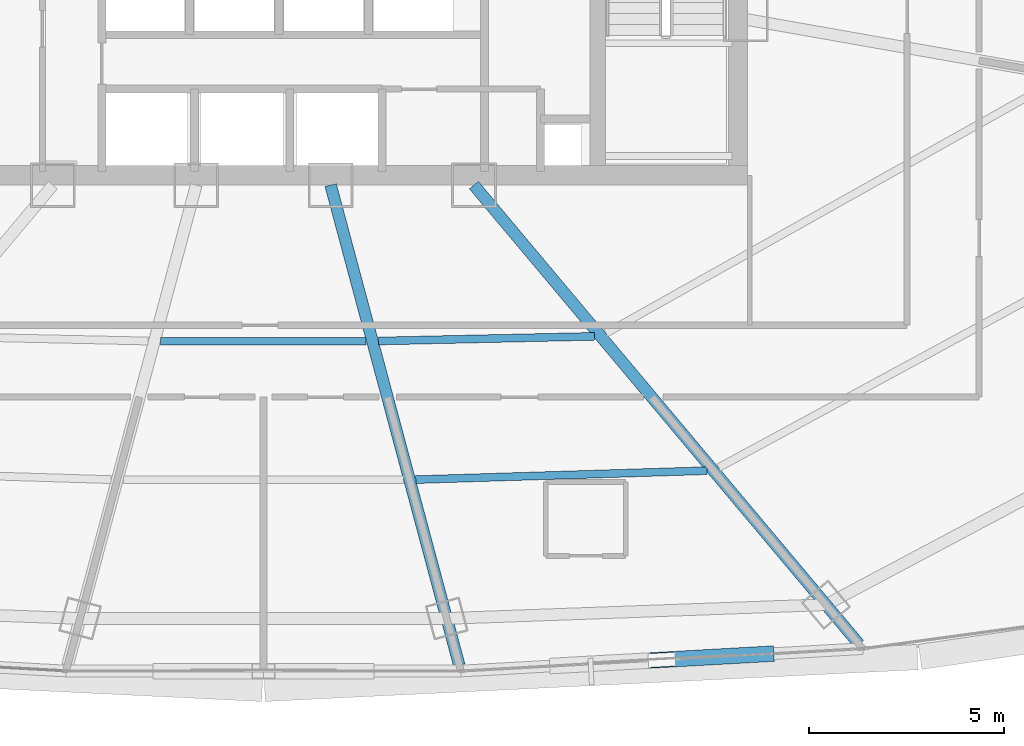
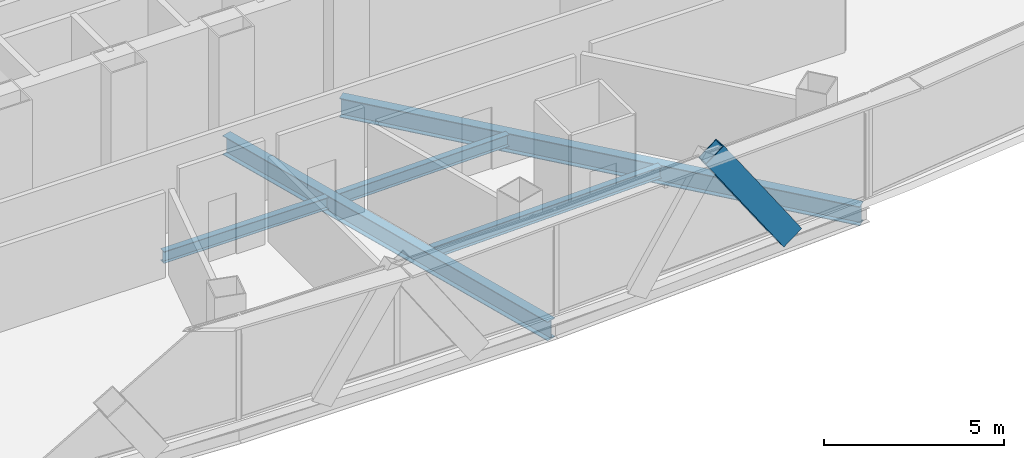
# One storey, part 13 of 36: 5 beams, 1 member.
"""IFC4 building model written with IfcOpenShell, lengths in metres."""

from ifc_helpers import new_model, si_unit, direction, frame, origin, origin_2d, place, context, subcontext, project, spatial, hollow_rectangle, i_section, extrude, source, transform, mapped, material, material_profile, profile_set, type_object, element, save


model = new_model("IFC4")

# Units and contexts
model_context = context("Model", 3, precision=1e-05, world=origin(), true_north=direction((0.0, 1.0)))
body_context = subcontext(model_context, "Body", "Model", "MODEL_VIEW")
ifc_project = project(units=[si_unit("LENGTHUNIT", "METRE"), si_unit("AREAUNIT", "SQUARE_METRE"), si_unit("VOLUMEUNIT", "CUBIC_METRE"), si_unit("PLANEANGLEUNIT", "RADIAN"), si_unit("MASSUNIT", "GRAM", prefix="KILO"), si_unit("THERMODYNAMICTEMPERATUREUNIT", "KELVIN"), si_unit("POWERUNIT", "WATT")], contexts=[model_context])

# Site, building, storey
site_placement = place(None, origin())
site = spatial("IfcSite", under=ifc_project, at=site_placement, CompositionType="ELEMENT")
building_placement = place(site_placement, origin())
building = spatial("IfcBuilding", under=site, at=building_placement, Name="Yunzhuo Pagoda Commons", CompositionType="ELEMENT")
storey_placement = place(building_placement, frame((0.0, 0.0, 211.360107421875)))
storey = spatial("IfcBuildingStorey", under=building, at=storey_placement, Name="L53", CompositionType="ELEMENT", Elevation=211.360107421875)

# Beams
ifc_material = material(Name="Structural steel Q355B", Category="steel")
ifc_material_profile_1 = material_profile(ifc_material, i_section(OverallWidth=0.199951171875, OverallDepth=0.39990234375, WebThickness=0.008056640625, FlangeThickness=0.012939453125, at=origin_2d()), Name="Structural steel Q355B")
ifc_profile_set_1 = profile_set([ifc_material_profile_1], Name="Structural steel Q355B")
beam_type_1 = type_object("IfcBeamType", Name="B-JS1 Joist HN 400x200x8x13", PredefinedType="JOIST", material=ifc_profile_set_1)
shared_shape_1 = source(origin(), body_context, "Body", "SweptSolid", [
    extrude(i_section(OverallWidth=0.199951171875, OverallDepth=0.39990234375, WebThickness=0.008056640625, FlangeThickness=0.012939453125, at=origin_2d()), origin(), (0.0, 0.0, 1.0), 5.550537109375),
])
beam_1_placement = place(storey_placement, frame((50.961669921875, 23.244140625, -0.460205078125), z_axis=(0.99976582056, 0.021640333643, 0.0), x_axis=(-0.021640333643, 0.99976582056, 0.0)))
element("IfcBeam", 1, at=beam_1_placement, inside=storey, type_object=beam_type_1, Name="L53 composite ring joist 1.3", PredefinedType="JOIST", context=body_context, shape_type="MappedRepresentation", body=[
    mapped(shared_shape_1, transform((0.0, 0.0, 0.0), scale=1.0)),
])
shared_shape_2 = source(origin(), body_context, "Body", "SweptSolid", [
    extrude(i_section(OverallWidth=0.199951171875, OverallDepth=0.39990234375, WebThickness=0.008056640625, FlangeThickness=0.012939453125, at=origin_2d()), origin(), (0.0, 0.0, 1.0), 7.49365234375),
])
beam_2_placement = place(storey_placement, frame((51.91650390625, 19.68115234375, -0.460205078125), z_axis=(0.99952593018, 0.030788226605, 0.0), x_axis=(-0.030788226605, 0.99952593018, 0.0)))
element("IfcBeam", 2, at=beam_2_placement, inside=storey, type_object=beam_type_1, Name="L53 composite ring joist 2.3", PredefinedType="JOIST", context=body_context, shape_type="MappedRepresentation", body=[
    mapped(shared_shape_2, transform((0.0, 0.0, 0.0), scale=1.0)),
])
shared_shape_3 = source(origin(), body_context, "Body", "SweptSolid", [
    extrude(i_section(OverallWidth=0.199951171875, OverallDepth=0.39990234375, WebThickness=0.008056640625, FlangeThickness=0.012939453125, at=origin_2d()), origin(), (0.0, 0.0, 1.0), 5.287109375),
])
beam_3_placement = place(storey_placement, frame((45.3564453125, 23.24072265625, -0.460205078125), z_axis=(1.0, 0.0, 0.0), x_axis=(0.0, 1.0, 0.0)))
element("IfcBeam", 3, at=beam_3_placement, inside=storey, type_object=beam_type_1, Name="L53 composite ring joist 1.2", PredefinedType="JOIST", context=body_context, shape_type="MappedRepresentation", body=[
    mapped(shared_shape_3, transform((0.0, 0.0, 0.0), scale=1.0)),
])
ifc_material_profile_2 = material_profile(ifc_material, i_section(OverallWidth=0.300048828125, OverallDepth=0.64990234375, WebThickness=0.012939453125, FlangeThickness=0.02197265625, at=origin_2d()), Name="Structural steel Q355B")
ifc_profile_set_2 = profile_set([ifc_material_profile_2], Name="Structural steel Q355B")
beam_type_2 = type_object("IfcBeamType", Name="B-RG2 Beam HN 650x300x13x22", PredefinedType="BEAM", material=ifc_profile_set_2)
shared_shape_4 = source(origin(), body_context, "Body", "SweptSolid", [
    extrude(i_section(OverallWidth=0.300048828125, OverallDepth=0.64990234375, WebThickness=0.012939453125, FlangeThickness=0.02197265625, at=origin_2d()), origin(), (0.0, 0.0, 1.0), 15.397216796875),
])
beam_4_placement = place(storey_placement, frame((63.309326171875, 15.455078125, -0.585205078125), z_axis=(-0.642791504822, 0.766041174695, 0.0), x_axis=(-0.766041174695, -0.642791504822, 0.0)))
element("IfcBeam", 4, at=beam_4_placement, inside=storey, type_object=beam_type_2, Name="L53 radial floor girder F1C4", PredefinedType="BEAM", context=body_context, shape_type="MappedRepresentation", body=[
    mapped(shared_shape_4, transform((0.0, 0.0, 0.0), scale=1.0)),
])
shared_shape_5 = source(origin(), body_context, "Body", "SweptSolid", [
    extrude(i_section(OverallWidth=0.300048828125, OverallDepth=0.64990234375, WebThickness=0.012939453125, FlangeThickness=0.02197265625, at=origin_2d()), origin(), (0.0, 0.0, 1.0), 12.775146484375),
])
beam_5_placement = place(storey_placement, frame((53.03466796875, 14.91015625, -0.585205078125), z_axis=(-0.258797220779, 0.965931673835, 0.0), x_axis=(-0.965931673835, -0.258797220779, 0.0)))
element("IfcBeam", 5, at=beam_5_placement, inside=storey, type_object=beam_type_2, Name="L53 radial floor girder F1C3", PredefinedType="BEAM", context=body_context, shape_type="MappedRepresentation", body=[
    mapped(shared_shape_5, transform((0.0, 0.0, 0.0), scale=1.0)),
])

# Member
ifc_material_profile_3 = material_profile(ifc_material, hollow_rectangle(XDim=0.39990234375, YDim=0.719970703125, WallThickness=0.02392578125, at=origin_2d()), Name="Structural steel Q355B")
ifc_profile_set_3 = profile_set([ifc_material_profile_3], Name="Structural steel Q355B")
member_type = type_object("IfcMemberType", Name="M-DL2 Brace BOX 720x400x24", PredefinedType="BRACE", material=ifc_profile_set_3)
shared_shape_6 = source(origin(), body_context, "Body", "SweptSolid", [
    extrude(hollow_rectangle(XDim=0.39990234375, YDim=0.719970703125, WallThickness=0.02392578125, at=origin_2d()), origin(), (0.0, 0.0, 1.0), 4.59716796875),
])
member_placement = place(storey_placement, frame((60.82568359375, 15.1923828125, -0.260009765625), z_axis=(-0.562015058129, -0.031332220003, 0.826533342598), x_axis=(0.055663352574, -0.99844959371, 0.0)))
element("IfcMember", 6, at=member_placement, inside=storey, type_object=member_type, Name="L53 facade diamond brace F1.3R", PredefinedType="BRACE", context=body_context, shape_type="MappedRepresentation", body=[
    mapped(shared_shape_6, transform((0.0, 0.0, 0.0), scale=1.0)),
])

save(model, "model.ifc")
